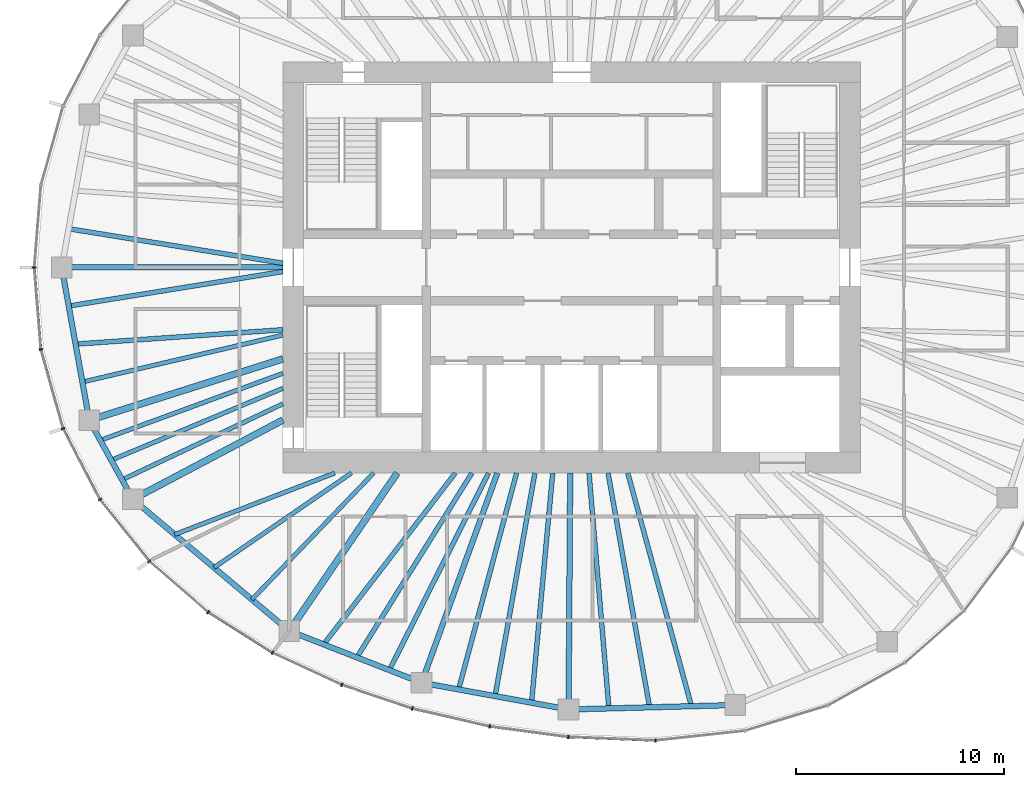
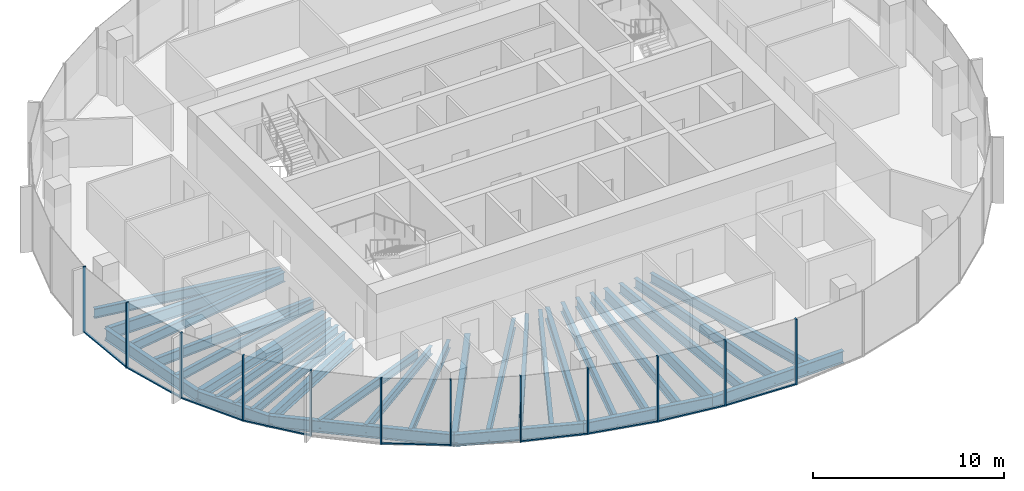
# One storey, part 2 of 12: 31 beams, 21 members, 6 elements without a shape of their own.
"""IFC4 building model written with IfcOpenShell, lengths in metres."""

from ifc_helpers import new_model, si_unit, direction, frame, origin, origin_2d, place, context, subcontext, project, spatial, rectangle, i_section, extrude, material, material_profile, profile_set, type_object, element, aggregate, save


model = new_model("IFC4")

# Units and contexts
model_context = context("Model", 3, precision=1e-05, world=origin(), true_north=direction((0.0, 1.0)))
body_context = subcontext(model_context, "Body", "Model", "MODEL_VIEW")
ifc_project = project(units=[si_unit("LENGTHUNIT", "METRE"), si_unit("AREAUNIT", "SQUARE_METRE"), si_unit("VOLUMEUNIT", "CUBIC_METRE"), si_unit("PLANEANGLEUNIT", "RADIAN"), si_unit("MASSUNIT", "GRAM", prefix="KILO")], contexts=[model_context])

# Site, building, storey
site_placement = place(None, origin())
site = spatial("IfcSite", under=ifc_project, at=site_placement, CompositionType="ELEMENT")
building_placement = place(site_placement, origin())
building = spatial("IfcBuilding", under=site, at=building_placement, Name="Ghaith Harvest Tower", CompositionType="ELEMENT")
storey_placement = place(building_placement, frame((0.0, 0.0, 304.800048828125)))
storey = spatial("IfcBuildingStorey", under=building, at=storey_placement, Name="L68", CompositionType="ELEMENT", Elevation=304.800048828125)

# Curtain wall, members
ifc_material_1 = material(Name="Black anodised aluminium and fritted glass", Category="aluminium")
curtain_wall_type = type_object("IfcCurtainWallType", Name="CW-T CURTAIN WALL", PredefinedType="NOTDEFINED", material=ifc_material_1)
curtain_wall_1_placement = place(storey_placement, origin())
curtain_wall_1 = element("IfcCurtainWall", 1, at=curtain_wall_1_placement, inside=storey, type_object=curtain_wall_type, Name="Curtain wall CW-T bay 11 L68", PredefinedType="NOTDEFINED")
ifc_material_2 = material(Name="Aluminium, black anodised", Category="aluminium")
ifc_material_profile_1 = material_profile(ifc_material_2, rectangle(XDim=0.080078125, YDim=0.179931640625, at=origin_2d()), Name="CW-T MULLION 80x180")
ifc_profile_set_1 = profile_set([ifc_material_profile_1], Name="Aluminium, black anodised")
member_type_1 = type_object("IfcMemberType", Name="CW-T MULLION 80x180", PredefinedType="MULLION", material=ifc_profile_set_1)
member_1_placement = place(storey_placement, frame((-25.8701171875, 0.0, 0.0), z_axis=(0.0, 0.0, 1.0), x_axis=(-1.05e-10, -1.0, 0.0)))
member_1 = element("IfcMember", 2, at=member_1_placement, type_object=member_type_1, Name="CW-T mullion 1 bay 11 L68", PredefinedType="MULLION", context=body_context, shape_type="SweptSolid", body=[
    extrude(rectangle(XDim=0.080078125, YDim=0.179931640625, at=origin_2d()), origin(), (0.0, 0.0, 1.0), 4.199951171875),
])
member_2_placement = place(storey_placement, frame((-25.5517578125, -3.9521484375, 0.0), z_axis=(0.0, 0.0, 1.0), x_axis=(0.176001391003, -0.98438991785, 0.0)))
member_2 = element("IfcMember", 3, at=member_2_placement, type_object=member_type_1, Name="CW-T mullion 2 bay 11 L68", PredefinedType="MULLION", context=body_context, shape_type="SweptSolid", body=[
    extrude(rectangle(XDim=0.080078125, YDim=0.179931640625, at=origin_2d()), origin(), (0.0, 0.0, 1.0), 4.199951171875),
])

curtain_wall_2_placement = place(storey_placement, origin())
curtain_wall_2 = element("IfcCurtainWall", 4, at=curtain_wall_2_placement, inside=storey, type_object=curtain_wall_type, Name="Curtain wall CW-T bay 12 L68", PredefinedType="NOTDEFINED")
member_3_placement = place(storey_placement, frame((-24.482666015625, -7.759033203125, 0.0), z_axis=(0.0, 0.0, 1.0), x_axis=(0.366473104734, -0.930428645038, 0.0)))
member_3 = element("IfcMember", 5, at=member_3_placement, type_object=member_type_1, Name="CW-T mullion 1 bay 12 L68", PredefinedType="MULLION", context=body_context, shape_type="SweptSolid", body=[
    extrude(rectangle(XDim=0.080078125, YDim=0.179931640625, at=origin_2d()), origin(), (0.0, 0.0, 1.0), 4.199951171875),
])
member_4_placement = place(storey_placement, frame((-22.706298828125, -11.176513671875, 0.0), z_axis=(0.0, 0.0, 1.0), x_axis=(0.545865412431, -0.837872873121, 0.0)))
member_4 = element("IfcMember", 6, at=member_4_placement, type_object=member_type_1, Name="CW-T mullion 2 bay 12 L68", PredefinedType="MULLION", context=body_context, shape_type="SweptSolid", body=[
    extrude(rectangle(XDim=0.080078125, YDim=0.179931640625, at=origin_2d()), origin(), (0.0, 0.0, 1.0), 4.199951171875),
])

curtain_wall_3_placement = place(storey_placement, origin())
curtain_wall_3 = element("IfcCurtainWall", 7, at=curtain_wall_3_placement, inside=storey, type_object=curtain_wall_type, Name="Curtain wall CW-T bay 13 L68", PredefinedType="NOTDEFINED")
member_5_placement = place(storey_placement, frame((-20.324462890625, -14.141845703125, 0.0), z_axis=(0.0, 0.0, 1.0), x_axis=(0.692826491831, -0.721104328248, 0.0)))
member_5 = element("IfcMember", 8, at=member_5_placement, type_object=member_type_1, Name="CW-T mullion 1 bay 13 L68", PredefinedType="MULLION", context=body_context, shape_type="SweptSolid", body=[
    extrude(rectangle(XDim=0.080078125, YDim=0.179931640625, at=origin_2d()), origin(), (0.0, 0.0, 1.0), 4.199951171875),
])
member_6_placement = place(storey_placement, frame((-17.49462890625, -16.600830078125, 0.0), z_axis=(0.0, 0.0, 1.0), x_axis=(0.802189888845, -0.59706899286, 0.0)))
member_6 = element("IfcMember", 9, at=member_6_placement, type_object=member_type_1, Name="CW-T mullion 2 bay 13 L68", PredefinedType="MULLION", context=body_context, shape_type="SweptSolid", body=[
    extrude(rectangle(XDim=0.080078125, YDim=0.179931640625, at=origin_2d()), origin(), (0.0, 0.0, 1.0), 4.199951171875),
])

curtain_wall_4_placement = place(storey_placement, origin())
curtain_wall_4 = element("IfcCurtainWall", 10, at=curtain_wall_4_placement, inside=storey, type_object=curtain_wall_type, Name="Curtain wall CW-T bay 14 L68", PredefinedType="NOTDEFINED")
member_7_placement = place(storey_placement, frame((-14.40478515625, -18.5478515625, 0.0), z_axis=(0.0, 0.0, 1.0), x_axis=(0.878671732732, -0.477426419564, 0.0)))
member_7 = element("IfcMember", 11, at=member_7_placement, type_object=member_type_1, Name="CW-T mullion 1 bay 14 L68", PredefinedType="MULLION", context=body_context, shape_type="SweptSolid", body=[
    extrude(rectangle(XDim=0.080078125, YDim=0.179931640625, at=origin_2d()), origin(), (0.0, 0.0, 1.0), 4.199951171875),
])
member_8_placement = place(storey_placement, frame((-11.0673828125, -20.093017578125, 0.0), z_axis=(0.0, 0.0, 1.0), x_axis=(0.92862442092, -0.371021138038, 0.0)))
member_8 = element("IfcMember", 12, at=member_8_placement, type_object=member_type_1, Name="CW-T mullion 2 bay 14 L68", PredefinedType="MULLION", context=body_context, shape_type="SweptSolid", body=[
    extrude(rectangle(XDim=0.080078125, YDim=0.179931640625, at=origin_2d()), origin(), (0.0, 0.0, 1.0), 4.199951171875),
])

curtain_wall_5_placement = place(storey_placement, origin())
curtain_wall_5 = element("IfcCurtainWall", 13, at=curtain_wall_5_placement, inside=storey, type_object=curtain_wall_type, Name="Curtain wall CW-T bay 15 L68", PredefinedType="NOTDEFINED")
member_9_placement = place(storey_placement, frame((-7.6708984375, -21.23828125, 0.0), z_axis=(0.0, 0.0, 1.0), x_axis=(0.962552491659, -0.271095372151, 0.0)))
member_9 = element("IfcMember", 14, at=member_9_placement, type_object=member_type_1, Name="CW-T mullion 1 bay 15 L68", PredefinedType="MULLION", context=body_context, shape_type="SweptSolid", body=[
    extrude(rectangle(XDim=0.080078125, YDim=0.179931640625, at=origin_2d()), origin(), (0.0, 0.0, 1.0), 4.199951171875),
])
member_10_placement = place(storey_placement, frame((-3.946533203125, -22.0986328125, 0.0), z_axis=(0.0, 0.0, 1.0), x_axis=(0.983843447712, -0.179030920217, 0.0)))
member_10 = element("IfcMember", 15, at=member_10_placement, type_object=member_type_1, Name="CW-T mullion 2 bay 15 L68", PredefinedType="MULLION", context=body_context, shape_type="SweptSolid", body=[
    extrude(rectangle(XDim=0.080078125, YDim=0.179931640625, at=origin_2d()), origin(), (0.0, 0.0, 1.0), 4.199951171875),
])

curtain_wall_6_placement = place(storey_placement, origin())
curtain_wall_6 = element("IfcCurtainWall", 16, at=curtain_wall_6_placement, inside=storey, type_object=curtain_wall_type, Name="Curtain wall CW-T bay 16 L68", PredefinedType="NOTDEFINED")
member_11_placement = place(storey_placement, frame((-0.15478515625, -22.60595703125, 0.0), z_axis=(0.0, 0.0, 1.0), x_axis=(0.996414855524, -0.084601629366, 0.0)))
member_11 = element("IfcMember", 17, at=member_11_placement, type_object=member_type_1, Name="CW-T mullion 1 bay 16 L68", PredefinedType="MULLION", context=body_context, shape_type="SweptSolid", body=[
    extrude(rectangle(XDim=0.080078125, YDim=0.179931640625, at=origin_2d()), origin(), (0.0, 0.0, 1.0), 4.199951171875),
])
member_12_placement = place(storey_placement, frame((4.037841796875, -22.776611328125, 0.0), z_axis=(0.0, 0.0, 1.0), x_axis=(0.999388631241, 0.034962318939, 0.0)))
member_12 = element("IfcMember", 18, at=member_12_placement, type_object=member_type_1, Name="CW-T mullion 2 bay 16 L68", PredefinedType="MULLION", context=body_context, shape_type="SweptSolid", body=[
    extrude(rectangle(XDim=0.080078125, YDim=0.179931640625, at=origin_2d()), origin(), (0.0, 0.0, 1.0), 4.199951171875),
])

# Member
ifc_material_3 = material(Name="Aluminium, black anodised", Category="aluminium")
ifc_material_profile_2 = material_profile(ifc_material_3, rectangle(XDim=0.1201171875, YDim=0.080078125, at=origin_2d()), Name="CW-T TRANSOM 120x80")
ifc_profile_set_2 = profile_set([ifc_material_profile_2], Name="Aluminium, black anodised")
member_type_2 = type_object("IfcMemberType", Name="CW-T TRANSOM 120x80", PredefinedType="USERDEFINED", material=ifc_profile_set_2)
member_13_placement = place(storey_placement, frame((-25.86669921875, -0.039794921875, 0.0400390625), z_axis=(0.08025226314, -0.996774585481, 0.0), x_axis=(0.996774585481, 0.08025226314, 0.0)))
member_13 = element("IfcMember", 19, at=member_13_placement, type_object=member_type_2, Name="CW-T transom 1 bay 11 L68", ObjectType="TRANSOM", PredefinedType="USERDEFINED", context=body_context, shape_type="SweptSolid", body=[
    extrude(rectangle(XDim=0.1201171875, YDim=0.080078125, at=origin_2d()), origin(), (0.0, 0.0, 1.0), 3.884765625),
])

member_14_placement = place(storey_placement, frame((-25.541015625, -3.990478515625, 0.0400390625), z_axis=(0.270340422972, -0.962764797709, 0.0), x_axis=(0.962764797709, 0.270340422972, 0.0)))
member_14 = element("IfcMember", 20, at=member_14_placement, type_object=member_type_2, Name="CW-T transom 2 bay 11 L68", ObjectType="TRANSOM", PredefinedType="USERDEFINED", context=body_context, shape_type="SweptSolid", body=[
    extrude(rectangle(XDim=0.1201171875, YDim=0.080078125, at=origin_2d()), origin(), (0.0, 0.0, 1.0), 3.874267578125),
])

aggregate(curtain_wall_1, [member_1, member_13, member_2, member_14])

member_15_placement = place(storey_placement, frame((-24.46435546875, -7.79443359375, 0.0400390625), z_axis=(0.461242681347, -0.887274021317, 0.0), x_axis=(0.887274021317, 0.461242681347, 0.0)))
member_15 = element("IfcMember", 21, at=member_15_placement, type_object=member_type_2, Name="CW-T transom 1 bay 12 L68", ObjectType="TRANSOM", PredefinedType="USERDEFINED", context=body_context, shape_type="SweptSolid", body=[
    extrude(rectangle(XDim=0.1201171875, YDim=0.080078125, at=origin_2d()), origin(), (0.0, 0.0, 1.0), 3.77197265625),
])

member_16_placement = place(storey_placement, frame((-22.68115234375, -11.207763671875, 0.0400390625), z_axis=(0.626253073761, -0.779619835307, 0.0), x_axis=(0.779619835307, 0.626253073761, 0.0)))
member_16 = element("IfcMember", 22, at=member_16_placement, type_object=member_type_2, Name="CW-T transom 2 bay 12 L68", ObjectType="TRANSOM", PredefinedType="USERDEFINED", context=body_context, shape_type="SweptSolid", body=[
    extrude(rectangle(XDim=0.1201171875, YDim=0.080078125, at=origin_2d()), origin(), (0.0, 0.0, 1.0), 3.723388671875),
])

aggregate(curtain_wall_2, [member_3, member_15, member_4, member_16])

member_17_placement = place(storey_placement, frame((-17.4609375, -16.6220703125, 0.0400390625), z_axis=(0.846053602505, -0.533097835006, 0.0), x_axis=(0.533097835006, 0.846053602505, 0.0)))
member_17 = element("IfcMember", 23, at=member_17_placement, type_object=member_type_2, Name="CW-T transom 2 bay 13 L68", ObjectType="TRANSOM", PredefinedType="USERDEFINED", context=body_context, shape_type="SweptSolid", body=[
    extrude(rectangle(XDim=0.1201171875, YDim=0.080078125, at=origin_2d()), origin(), (0.0, 0.0, 1.0), 3.572021484375),
])

aggregate(curtain_wall_3, [member_5, member_6, member_17])

member_18_placement = place(storey_placement, frame((-11.029541015625, -20.105712890625, 0.0400390625), z_axis=(0.9475698206, -0.319548799228, 0.0), x_axis=(0.319548799228, 0.9475698206, 0.0)))
member_18 = element("IfcMember", 24, at=member_18_placement, type_object=member_type_2, Name="CW-T transom 2 bay 14 L68", ObjectType="TRANSOM", PredefinedType="USERDEFINED", context=body_context, shape_type="SweptSolid", body=[
    extrude(rectangle(XDim=0.1201171875, YDim=0.080078125, at=origin_2d()), origin(), (0.0, 0.0, 1.0), 3.504638671875),
])

aggregate(curtain_wall_4, [member_7, member_8, member_18])

member_19_placement = place(storey_placement, frame((-7.6318359375, -21.247314453125, 0.0400390625), z_axis=(0.974344997799, -0.225059603803, 0.0), x_axis=(0.225059603803, 0.974344997799, 0.0)))
member_19 = element("IfcMember", 25, at=member_19_placement, type_object=member_type_2, Name="CW-T transom 1 bay 15 L68", ObjectType="TRANSOM", PredefinedType="USERDEFINED", context=body_context, shape_type="SweptSolid", body=[
    extrude(rectangle(XDim=0.1201171875, YDim=0.080078125, at=origin_2d()), origin(), (0.0, 0.0, 1.0), 3.742431640625),
])

member_20_placement = place(storey_placement, frame((-3.90673828125, -22.10400390625, 0.0400390625), z_axis=(0.99117202259, -0.132582131655, 0.0), x_axis=(0.132582131655, 0.99117202259, 0.0)))
member_20 = element("IfcMember", 26, at=member_20_placement, type_object=member_type_2, Name="CW-T transom 2 bay 15 L68", ObjectType="TRANSOM", PredefinedType="USERDEFINED", context=body_context, shape_type="SweptSolid", body=[
    extrude(rectangle(XDim=0.1201171875, YDim=0.080078125, at=origin_2d()), origin(), (0.0, 0.0, 1.0), 3.745361328125),
])

aggregate(curtain_wall_5, [member_9, member_19, member_10, member_20])

member_21_placement = place(storey_placement, frame((-0.11474609375, -22.607666015625, 0.0400390625), z_axis=(0.999174207562, -0.040631304968, 0.0), x_axis=(0.040631304968, 0.999174207562, 0.0)))
member_21 = element("IfcMember", 27, at=member_21_placement, type_object=member_type_2, Name="CW-T transom 1 bay 16 L68", ObjectType="TRANSOM", PredefinedType="USERDEFINED", context=body_context, shape_type="SweptSolid", body=[
    extrude(rectangle(XDim=0.1201171875, YDim=0.080078125, at=origin_2d()), origin(), (0.0, 0.0, 1.0), 4.115966796875),
])

aggregate(curtain_wall_6, [member_11, member_21, member_12])

# Beams
ifc_material_4 = material(Name="Steel ASTM A992 Grade 50", Category="steel")
ifc_material_profile_3 = material_profile(ifc_material_4, i_section(OverallWidth=0.26611328125, OverallDepth=0.758056640625, WebThickness=0.013916015625, FlangeThickness=0.019287109375, at=origin_2d()), Name="W760X161")
ifc_profile_set_3 = profile_set([ifc_material_profile_3], Name="Steel ASTM A992 Grade 50")
beam_type_1 = type_object("IfcBeamType", Name="E760-161 W760X161", PredefinedType="SPANDREL", material=ifc_profile_set_3)
beam_1_placement = place(storey_placement, frame((-24.550048828125, 0.0, -0.549072265625), z_axis=(0.177296554745, -0.984157473007, 0.0), x_axis=(0.984157473007, 0.177296554745, 0.0)))
element("IfcBeam", 28, at=beam_1_placement, inside=storey, type_object=beam_type_1, Name="Edge beam E11 L68", PredefinedType="SPANDREL", context=body_context, shape_type="SweptSolid", body=[
    extrude(i_section(OverallWidth=0.26611328125, OverallDepth=0.758056640625, WebThickness=0.013916015625, FlangeThickness=0.019287109375, at=origin_2d()), origin(), (0.0, 0.0, 1.0), 7.478515625),
])
beam_2_placement = place(storey_placement, frame((-23.22412109375, -7.360107421875, -0.549072265625), z_axis=(0.482955575345, -0.875644855089, 0.0), x_axis=(0.875644855089, 0.482955575345, 0.0)))
element("IfcBeam", 29, at=beam_2_placement, inside=storey, type_object=beam_type_1, Name="Edge beam E12 L68", PredefinedType="SPANDREL", context=body_context, shape_type="SweptSolid", body=[
    extrude(i_section(OverallWidth=0.26611328125, OverallDepth=0.758056640625, WebThickness=0.013916015625, FlangeThickness=0.019287109375, at=origin_2d()), origin(), (0.0, 0.0, 1.0), 4.346435546875),
])
beam_3_placement = place(storey_placement, frame((-21.125, -11.166015625, -0.549072265625), z_axis=(0.765021818761, -0.64400436087, 0.0), x_axis=(0.64400436087, 0.765021818761, 0.0)))
element("IfcBeam", 30, at=beam_3_placement, inside=storey, type_object=beam_type_1, Name="Edge beam E13 L68", PredefinedType="SPANDREL", context=body_context, shape_type="SweptSolid", body=[
    extrude(i_section(OverallWidth=0.26611328125, OverallDepth=0.758056640625, WebThickness=0.013916015625, FlangeThickness=0.019287109375, at=origin_2d()), origin(), (0.0, 0.0, 1.0), 9.8427734375),
])
beam_4_placement = place(storey_placement, frame((-13.594970703125, -17.5048828125, -0.549072265625), z_axis=(0.931322768207, -0.364194867371, 0.0), x_axis=(0.364194867371, 0.931322768207, 0.0)))
element("IfcBeam", 31, at=beam_4_placement, inside=storey, type_object=beam_type_1, Name="Edge beam E14 L68", PredefinedType="SPANDREL", context=body_context, shape_type="SweptSolid", body=[
    extrude(i_section(OverallWidth=0.26611328125, OverallDepth=0.758056640625, WebThickness=0.013916015625, FlangeThickness=0.019287109375, at=origin_2d()), origin(), (0.0, 0.0, 1.0), 6.843017578125),
])
beam_5_placement = place(storey_placement, frame((-7.221923828125, -19.9970703125, -0.549072265625), z_axis=(0.983813921429, -0.179193102551, 0.0), x_axis=(0.179193102551, 0.983813921429, 0.0)))
element("IfcBeam", 32, at=beam_5_placement, inside=storey, type_object=beam_type_1, Name="Edge beam E15 L68", PredefinedType="SPANDREL", context=body_context, shape_type="SweptSolid", body=[
    extrude(i_section(OverallWidth=0.26611328125, OverallDepth=0.758056640625, WebThickness=0.013916015625, FlangeThickness=0.019287109375, at=origin_2d()), origin(), (0.0, 0.0, 1.0), 7.1923828125),
])
beam_6_placement = place(storey_placement, frame((-0.14599609375, -21.285888671875, -0.549072265625), z_axis=(0.999644979696, 0.02664422206, 0.0), x_axis=(-0.02664422206, 0.999644979696, 0.0)))
element("IfcBeam", 33, at=beam_6_placement, inside=storey, type_object=beam_type_1, Name="Edge beam E16 L68", PredefinedType="SPANDREL", context=body_context, shape_type="SweptSolid", body=[
    extrude(i_section(OverallWidth=0.26611328125, OverallDepth=0.758056640625, WebThickness=0.013916015625, FlangeThickness=0.019287109375, at=origin_2d()), origin(), (0.0, 0.0, 1.0), 8.02685546875),
])
ifc_material_5 = material(Name="Steel ASTM A992 Grade 50", Category="steel")
ifc_material_profile_4 = material_profile(ifc_material_5, i_section(OverallWidth=0.323974609375, OverallDepth=0.611083984375, WebThickness=0.0126953125, FlangeThickness=0.01904296875, at=origin_2d()), Name="W610X155")
ifc_profile_set_4 = profile_set([ifc_material_profile_4], Name="Steel ASTM A992 Grade 50")
beam_type_2 = type_object("IfcBeamType", Name="G610-155 W610X155", PredefinedType="BEAM", material=ifc_profile_set_4)
beam_7_placement = place(storey_placement, frame((-13.89990234375, -4.4052734375, -0.4755859375), z_axis=(-0.953278508772, -0.302092841215, 0.0), x_axis=(0.302092841215, -0.953278508772, 0.0)))
element("IfcBeam", 34, at=beam_7_placement, inside=storey, type_object=beam_type_2, Name="Radial girder G12 L68", PredefinedType="BEAM", context=body_context, shape_type="SweptSolid", body=[
    extrude(i_section(OverallWidth=0.323974609375, OverallDepth=0.611083984375, WebThickness=0.0126953125, FlangeThickness=0.01904296875, at=origin_2d()), origin(), (0.0, 0.0, 1.0), 9.78125),
])
beam_8_placement = place(storey_placement, frame((-13.89990234375, -7.34716796875, -0.4755859375), z_axis=(-0.88410164037, -0.467294649546, 0.0), x_axis=(0.467294649546, -0.88410164037, 0.0)))
element("IfcBeam", 35, at=beam_8_placement, inside=storey, type_object=beam_type_2, Name="Radial girder G13 L68", PredefinedType="BEAM", context=body_context, shape_type="SweptSolid", body=[
    extrude(i_section(OverallWidth=0.323974609375, OverallDepth=0.611083984375, WebThickness=0.0126953125, FlangeThickness=0.01904296875, at=origin_2d()), origin(), (0.0, 0.0, 1.0), 8.17236328125),
])
beam_9_placement = place(storey_placement, frame((-8.39990234375, -9.89990234375, -0.4755859375), z_axis=(-0.564067018201, -0.825729010619, 0.0), x_axis=(0.825729010619, -0.564067018201, 0.0)))
element("IfcBeam", 36, at=beam_9_placement, inside=storey, type_object=beam_type_2, Name="Radial girder G14 L68", PredefinedType="BEAM", context=body_context, shape_type="SweptSolid", body=[
    extrude(i_section(OverallWidth=0.323974609375, OverallDepth=0.611083984375, WebThickness=0.0126953125, FlangeThickness=0.01904296875, at=origin_2d()), origin(), (0.0, 0.0, 1.0), 9.2099609375),
])
ifc_material_6 = material(Name="Steel ASTM A992 Grade 50", Category="steel")
ifc_material_profile_5 = material_profile(ifc_material_6, i_section(OverallWidth=0.26611328125, OverallDepth=0.758056640625, WebThickness=0.013916015625, FlangeThickness=0.019287109375, at=origin_2d()), Name="W760X161")
ifc_profile_set_5 = profile_set([ifc_material_profile_5], Name="Steel ASTM A992 Grade 50")
beam_type_3 = type_object("IfcBeamType", Name="G760-161 W760X161", PredefinedType="BEAM", material=ifc_profile_set_5)
beam_10_placement = place(storey_placement, frame((-13.89990234375, 0.0, -0.549072265625), z_axis=(-1.0, 0.0, 0.0), x_axis=(0.0, -1.0, 0.0)))
element("IfcBeam", 37, at=beam_10_placement, inside=storey, type_object=beam_type_3, Name="Radial girder G11 L68", PredefinedType="BEAM", context=body_context, shape_type="SweptSolid", body=[
    extrude(i_section(OverallWidth=0.26611328125, OverallDepth=0.758056640625, WebThickness=0.013916015625, FlangeThickness=0.019287109375, at=origin_2d()), origin(), (0.0, 0.0, 1.0), 10.650146484375),
])
beam_11_placement = place(storey_placement, frame((-3.57568359375, -9.89990234375, -0.549072265625), z_axis=(-0.339647816823, -0.940552688863, 0.0), x_axis=(0.940552688863, -0.339647816823, 0.0)))
element("IfcBeam", 38, at=beam_11_placement, inside=storey, type_object=beam_type_3, Name="Radial girder G15 L68", PredefinedType="BEAM", context=body_context, shape_type="SweptSolid", body=[
    extrude(i_section(OverallWidth=0.26611328125, OverallDepth=0.758056640625, WebThickness=0.013916015625, FlangeThickness=0.019287109375, at=origin_2d()), origin(), (0.0, 0.0, 1.0), 10.7353515625),
])
beam_12_placement = place(storey_placement, frame((-0.06787109375, -9.89990234375, -0.549072265625), z_axis=(-0.006861343299, -0.999976460707, 0.0), x_axis=(0.999976460707, -0.006861343299, 0.0)))
element("IfcBeam", 39, at=beam_12_placement, inside=storey, type_object=beam_type_3, Name="Radial girder G16 L68", PredefinedType="BEAM", context=body_context, shape_type="SweptSolid", body=[
    extrude(i_section(OverallWidth=0.26611328125, OverallDepth=0.758056640625, WebThickness=0.013916015625, FlangeThickness=0.019287109375, at=origin_2d()), origin(), (0.0, 0.0, 1.0), 11.38623046875),
])
ifc_material_7 = material(Name="Steel ASTM A992 Grade 50", Category="steel")
ifc_material_profile_6 = material_profile(ifc_material_7, i_section(OverallWidth=0.2109375, OverallDepth=0.5390625, WebThickness=0.01171875, FlangeThickness=0.018798828125, at=origin_2d()), Name="W530X109")
ifc_profile_set_6 = profile_set([ifc_material_profile_6], Name="Steel ASTM A992 Grade 50")
beam_type_4 = type_object("IfcBeamType", Name="J530-109 W530X109", PredefinedType="JOIST", material=ifc_profile_set_6)
beam_13_placement = place(storey_placement, frame((-13.89990234375, -3.257080078125, -0.439453125), z_axis=(-0.973623403271, -0.228161058472, 0.0), x_axis=(0.228161058472, -0.973623403271, 0.0)))
element("IfcBeam", 40, at=beam_13_placement, inside=storey, type_object=beam_type_4, Name="Joist J11.3 L68", PredefinedType="JOIST", context=body_context, shape_type="SweptSolid", body=[
    extrude(i_section(OverallWidth=0.2109375, OverallDepth=0.5390625, WebThickness=0.01171875, FlangeThickness=0.018798828125, at=origin_2d()), origin(), (0.0, 0.0, 1.0), 9.9169921875),
])
beam_14_placement = place(storey_placement, frame((-13.89990234375, -5.101318359375, -0.439453125), z_axis=(-0.938776837502, -0.34452583266, 0.0), x_axis=(0.34452583266, -0.938776837502, 0.0)))
element("IfcBeam", 41, at=beam_14_placement, inside=storey, type_object=beam_type_4, Name="Joist J12.1 L68", PredefinedType="JOIST", context=body_context, shape_type="SweptSolid", body=[
    extrude(i_section(OverallWidth=0.2109375, OverallDepth=0.5390625, WebThickness=0.01171875, FlangeThickness=0.018798828125, at=origin_2d()), origin(), (0.0, 0.0, 1.0), 9.36376953125),
])
beam_15_placement = place(storey_placement, frame((-13.89990234375, -5.82080078125, -0.439453125), z_axis=(-0.922394258818, -0.38624970071, 0.0), x_axis=(0.38624970071, -0.922394258818, 0.0)))
element("IfcBeam", 42, at=beam_15_placement, inside=storey, type_object=beam_type_4, Name="Joist J12.2 L68", PredefinedType="JOIST", context=body_context, shape_type="SweptSolid", body=[
    extrude(i_section(OverallWidth=0.2109375, OverallDepth=0.5390625, WebThickness=0.01171875, FlangeThickness=0.018798828125, at=origin_2d()), origin(), (0.0, 0.0, 1.0), 8.959716796875),
])
beam_16_placement = place(storey_placement, frame((-13.89990234375, -6.56787109375, -0.439453125), z_axis=(-0.904165769726, -0.427181765594, 0.0), x_axis=(0.427181765594, -0.904165769726, 0.0)))
element("IfcBeam", 43, at=beam_16_placement, inside=storey, type_object=beam_type_4, Name="Joist J12.3 L68", PredefinedType="JOIST", context=body_context, shape_type="SweptSolid", body=[
    extrude(i_section(OverallWidth=0.2109375, OverallDepth=0.5390625, WebThickness=0.01171875, FlangeThickness=0.018798828125, at=origin_2d()), origin(), (0.0, 0.0, 1.0), 8.564208984375),
])
beam_17_placement = place(storey_placement, frame((-11.39990234375, -9.89990234375, -0.439453125), z_axis=(-0.933583045329, -0.358361127181, 0.0), x_axis=(0.358361127181, -0.933583045329, 0.0)))
element("IfcBeam", 44, at=beam_17_placement, inside=storey, type_object=beam_type_4, Name="Joist J13.1 L68", PredefinedType="JOIST", context=body_context, shape_type="SweptSolid", body=[
    extrude(i_section(OverallWidth=0.2109375, OverallDepth=0.5390625, WebThickness=0.01171875, FlangeThickness=0.018798828125, at=origin_2d()), origin(), (0.0, 0.0, 1.0), 8.260986328125),
])
beam_18_placement = place(storey_placement, frame((-10.60009765625, -9.89990234375, -0.439453125), z_axis=(-0.823778502511, -0.566911791023, 0.0), x_axis=(0.566911791023, -0.823778502511, 0.0)))
element("IfcBeam", 45, at=beam_18_placement, inside=storey, type_object=beam_type_4, Name="Joist J13.2 L68", PredefinedType="JOIST", context=body_context, shape_type="SweptSolid", body=[
    extrude(i_section(OverallWidth=0.2109375, OverallDepth=0.5390625, WebThickness=0.01171875, FlangeThickness=0.018798828125, at=origin_2d()), origin(), (0.0, 0.0, 1.0), 8.0341796875),
])
beam_19_placement = place(storey_placement, frame((-9.530517578125, -9.89990234375, -0.439453125), z_axis=(-0.693536238632, -0.720421741554, 0.0), x_axis=(0.720421741554, -0.693536238632, 0.0)))
element("IfcBeam", 46, at=beam_19_placement, inside=storey, type_object=beam_type_4, Name="Joist J13.3 L68", PredefinedType="JOIST", context=body_context, shape_type="SweptSolid", body=[
    extrude(i_section(OverallWidth=0.2109375, OverallDepth=0.5390625, WebThickness=0.01171875, FlangeThickness=0.018798828125, at=origin_2d()), origin(), (0.0, 0.0, 1.0), 8.4541015625),
])
ifc_material_8 = material(Name="Steel ASTM A992 Grade 50", Category="steel")
ifc_material_profile_7 = material_profile(ifc_material_8, i_section(OverallWidth=0.22998046875, OverallDepth=0.616943359375, WebThickness=0.01318359375, FlangeThickness=0.022216796875, at=origin_2d()), Name="W610X140")
ifc_profile_set_7 = profile_set([ifc_material_profile_7], Name="Steel ASTM A992 Grade 50")
beam_type_5 = type_object("IfcBeamType", Name="J610-140 W610X140", PredefinedType="JOIST", material=ifc_profile_set_7)
for number, where, z_axis, x_axis, name in (
    (47, (-13.89990234375, 0.199951171875, -0.478515625), (-0.987271793524, 0.159042150743, 0.0), (-0.159042150743, -0.987271793524, 0.0), "Joist J10.3 L68"),
    (48, (-13.89990234375, -0.199951171875, -0.478515625), (-0.987271793524, -0.159042150743, 0.0), (0.159042150743, -0.987271793524, 0.0), "Joist J11.1 L68"),
):
    element("IfcBeam", number, at=place(storey_placement, frame(where, z_axis=z_axis, x_axis=x_axis)), inside=storey, type_object=beam_type_5, Name=name, PredefinedType="JOIST", context=body_context, shape_type="SweptSolid", body=[
        extrude(i_section(OverallWidth=0.22998046875, OverallDepth=0.616943359375, WebThickness=0.01318359375, FlangeThickness=0.022216796875, at=origin_2d()), origin(), (0.0, 0.0, 1.0), 10.44775390625),
    ])
beam_20_placement = place(storey_placement, frame((-13.89990234375, -3.0, -0.478515625), z_axis=(-0.997592478057, -0.069348739886, 0.0), x_axis=(0.069348739886, -0.997592478057, 0.0)))
element("IfcBeam", 49, at=beam_20_placement, inside=storey, type_object=beam_type_5, Name="Joist J11.2 L68", PredefinedType="JOIST", context=body_context, shape_type="SweptSolid", body=[
    extrude(i_section(OverallWidth=0.22998046875, OverallDepth=0.616943359375, WebThickness=0.01318359375, FlangeThickness=0.022216796875, at=origin_2d()), origin(), (0.0, 0.0, 1.0), 10.0087890625),
])
beam_21_placement = place(storey_placement, frame((-5.60009765625, -9.89990234375, -0.478515625), z_axis=(-0.609353577926, -0.792898617144, 0.0), x_axis=(0.792898617144, -0.609353577926, 0.0)))
element("IfcBeam", 50, at=beam_21_placement, inside=storey, type_object=beam_type_5, Name="Joist J14.1 L68", PredefinedType="JOIST", context=body_context, shape_type="SweptSolid", body=[
    extrude(i_section(OverallWidth=0.22998046875, OverallDepth=0.616943359375, WebThickness=0.01318359375, FlangeThickness=0.022216796875, at=origin_2d()), origin(), (0.0, 0.0, 1.0), 10.406982421875),
])
beam_22_placement = place(storey_placement, frame((-4.800048828125, -9.89990234375, -0.478515625), z_axis=(-0.529596254905, -0.848249849273, 0.0), x_axis=(0.848249849273, -0.529596254905, 0.0)))
element("IfcBeam", 51, at=beam_22_placement, inside=storey, type_object=beam_type_5, Name="Joist J14.2 L68", PredefinedType="JOIST", context=body_context, shape_type="SweptSolid", body=[
    extrude(i_section(OverallWidth=0.22998046875, OverallDepth=0.616943359375, WebThickness=0.01318359375, FlangeThickness=0.022216796875, at=origin_2d()), origin(), (0.0, 0.0, 1.0), 10.465087890625),
])
beam_23_placement = place(storey_placement, frame((-4.0, -9.89990234375, -0.478515625), z_axis=(-0.449556131123, -0.893252083664, 0.0), x_axis=(0.893252083664, -0.449556131123, 0.0)))
element("IfcBeam", 52, at=beam_23_placement, inside=storey, type_object=beam_type_5, Name="Joist J14.3 L68", PredefinedType="JOIST", context=body_context, shape_type="SweptSolid", body=[
    extrude(i_section(OverallWidth=0.22998046875, OverallDepth=0.616943359375, WebThickness=0.01318359375, FlangeThickness=0.022216796875, at=origin_2d()), origin(), (0.0, 0.0, 1.0), 10.62353515625),
])
beam_24_placement = place(storey_placement, frame((-2.651123046875, -9.89990234375, -0.478515625), z_axis=(-0.258678019609, -0.965963602923, 0.0), x_axis=(0.965963602923, -0.258678019609, 0.0)))
element("IfcBeam", 53, at=beam_24_placement, inside=storey, type_object=beam_type_5, Name="Joist J15.1 L68", PredefinedType="JOIST", context=body_context, shape_type="SweptSolid", body=[
    extrude(i_section(OverallWidth=0.22998046875, OverallDepth=0.616943359375, WebThickness=0.01318359375, FlangeThickness=0.022216796875, at=origin_2d()), origin(), (0.0, 0.0, 1.0), 10.78857421875),
])
beam_25_placement = place(storey_placement, frame((-1.76806640625, -9.89990234375, -0.478515625), z_axis=(-0.175803029262, -0.984425362789, 0.0), x_axis=(0.984425362789, -0.175803029262, 0.0)))
element("IfcBeam", 54, at=beam_25_placement, inside=storey, type_object=beam_type_5, Name="Joist J15.2 L68", PredefinedType="JOIST", context=body_context, shape_type="SweptSolid", body=[
    extrude(i_section(OverallWidth=0.22998046875, OverallDepth=0.616943359375, WebThickness=0.01318359375, FlangeThickness=0.022216796875, at=origin_2d()), origin(), (0.0, 0.0, 1.0), 10.9111328125),
])
beam_26_placement = place(storey_placement, frame((-0.9111328125, -9.89990234375, -0.478515625), z_axis=(-0.091651380942, -0.995791154998, 0.0), x_axis=(0.995791154998, -0.091651380942, 0.0)))
element("IfcBeam", 55, at=beam_26_placement, inside=storey, type_object=beam_type_5, Name="Joist J15.3 L68", PredefinedType="JOIST", context=body_context, shape_type="SweptSolid", body=[
    extrude(i_section(OverallWidth=0.22998046875, OverallDepth=0.616943359375, WebThickness=0.01318359375, FlangeThickness=0.022216796875, at=origin_2d()), origin(), (0.0, 0.0, 1.0), 11.10791015625),
])
beam_27_placement = place(storey_placement, frame((0.836669921875, -9.89990234375, -0.478515625), z_axis=(0.084201795166, -0.996448723061, 0.0), x_axis=(0.996448723061, 0.084201795166, 0.0)))
element("IfcBeam", 56, at=beam_27_placement, inside=storey, type_object=beam_type_5, Name="Joist J16.1 L68", PredefinedType="JOIST", context=body_context, shape_type="SweptSolid", body=[
    extrude(i_section(OverallWidth=0.22998046875, OverallDepth=0.616943359375, WebThickness=0.01318359375, FlangeThickness=0.022216796875, at=origin_2d()), origin(), (0.0, 0.0, 1.0), 11.37451171875),
])
beam_28_placement = place(storey_placement, frame((1.7548828125, -9.89990234375, -0.478515625), z_axis=(0.174572943493, -0.98464424408, 0.0), x_axis=(0.98464424408, 0.174572943493, 0.0)))
element("IfcBeam", 57, at=beam_28_placement, inside=storey, type_object=beam_type_5, Name="Joist J16.2 L68", PredefinedType="JOIST", context=body_context, shape_type="SweptSolid", body=[
    extrude(i_section(OverallWidth=0.22998046875, OverallDepth=0.616943359375, WebThickness=0.01318359375, FlangeThickness=0.022216796875, at=origin_2d()), origin(), (0.0, 0.0, 1.0), 11.4580078125),
])
beam_29_placement = place(storey_placement, frame((2.70361328125, -9.89990234375, -0.478515625), z_axis=(0.263468802698, -0.964667916956, 0.0), x_axis=(0.964667916956, 0.263468802698, 0.0)))
element("IfcBeam", 58, at=beam_29_placement, inside=storey, type_object=beam_type_5, Name="Joist J16.3 L68", PredefinedType="JOIST", context=body_context, shape_type="SweptSolid", body=[
    extrude(i_section(OverallWidth=0.22998046875, OverallDepth=0.616943359375, WebThickness=0.01318359375, FlangeThickness=0.022216796875, at=origin_2d()), origin(), (0.0, 0.0, 1.0), 11.639404296875),
])

save(model, "model.ifc")
